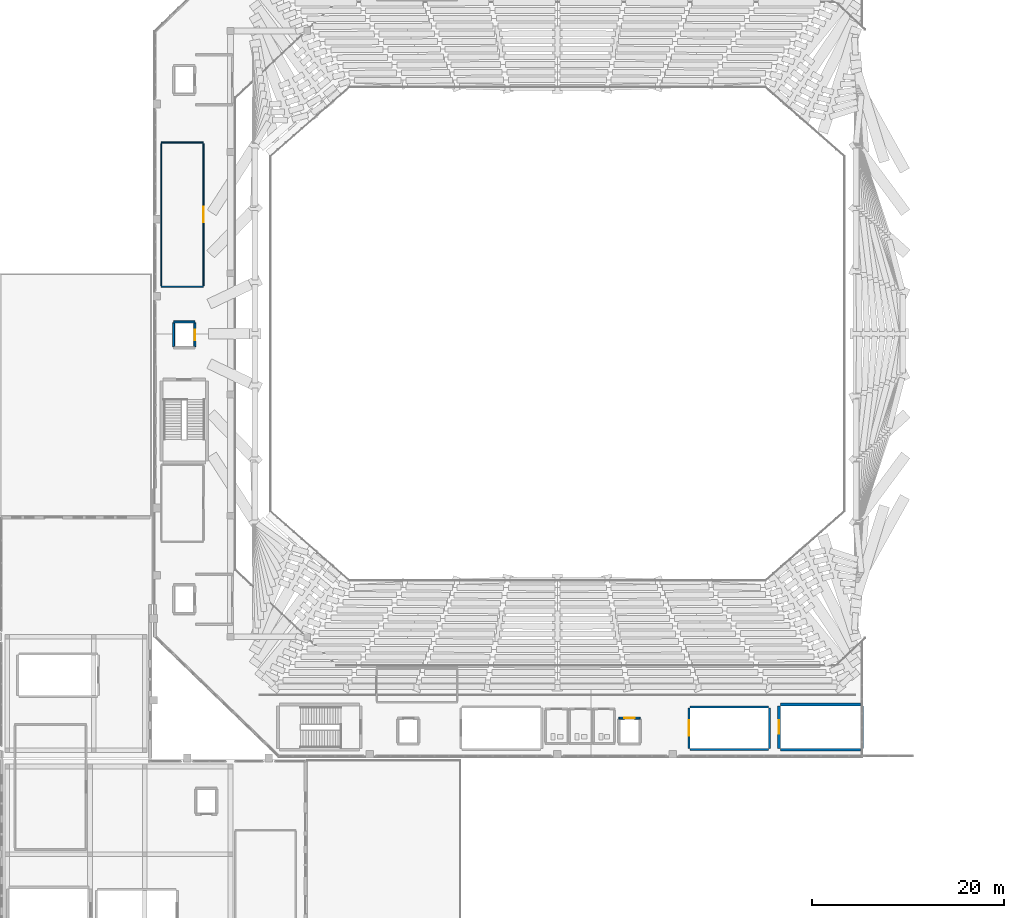
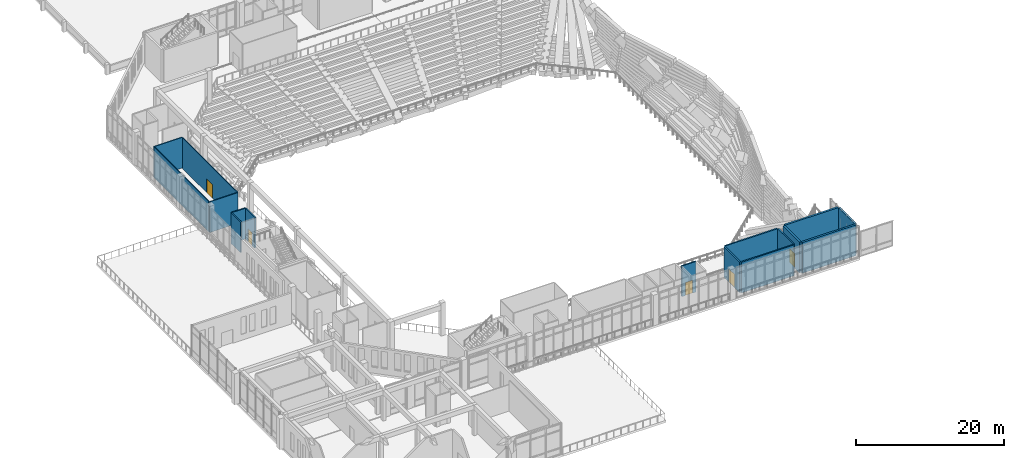
# One storey, part 46 of 55: 16 walls, 5 doors, 5 openings.
"""IFC4 building model written with IfcOpenShell, lengths in metres."""

from ifc_helpers import new_model, si_unit, derived_unit, direction, frame, frame_2d, origin, place, context, subcontext, project, spatial, rectangle, extrude, material, layer, layer_set, type_object, element, fill, save


model = new_model("IFC4")

# Units and contexts
model_context = context("Model", 3, precision=1e-05, world=origin(), true_north=direction((0.0, 1.0)))
body_context = subcontext(model_context, "Body", "Model", "MODEL_VIEW")
ifc_project = project(units=[si_unit("LENGTHUNIT", "METRE"), si_unit("AREAUNIT", "SQUARE_METRE"), si_unit("VOLUMEUNIT", "CUBIC_METRE"), si_unit("PLANEANGLEUNIT", "RADIAN"), si_unit("MASSUNIT", "GRAM", prefix="KILO"), derived_unit("THERMALTRANSMITTANCEUNIT", [(si_unit("MASSUNIT", "GRAM", prefix="KILO"), 1), (si_unit("TIMEUNIT", "SECOND"), -3), (si_unit("THERMODYNAMICTEMPERATUREUNIT", "KELVIN"), -1)])], contexts=[model_context])

# Site, building, storey
site_placement = place(None, origin())
site = spatial("IfcSite", under=ifc_project, at=site_placement, CompositionType="ELEMENT")
building_placement = place(site_placement, origin())
building = spatial("IfcBuilding", under=site, at=building_placement, Name="Valcora Ridge Arena", CompositionType="ELEMENT")
storey_placement = place(building_placement, frame((0.0, 0.0, 21.0)))
storey = spatial("IfcBuildingStorey", under=building, at=storey_placement, Name="L04", CompositionType="ELEMENT", Elevation=21.0)

# Walls
ifc_material_1 = material(Name="Acoustic metal-stud gypsum partition 120 mm")
ifc_layer_1 = layer(ifc_material_1, 0.1201171875, Name="Acoustic metal-stud gypsum partition 120 mm")
ifc_layer_set_1 = layer_set([ifc_layer_1], Name="Acoustic metal-stud gypsum partition 120 mm")
wall_type_1 = type_object("IfcWallType", Name="TY-WALL-IW-PART-120", PredefinedType="PARTITIONING", material=ifc_layer_set_1)
for number, where, z_axis, x_axis, name in (
    (1, (16.800048828125, 69.0, 0.0), (0.0, 0.0, 1.0), (1.0, 0.0, 0.0), "IW-PART-120 WAL-IN-0463"),
    (2, (16.800048828125, 84.0, 0.0), (0.0, 0.0, 1.0), (1.0, 0.0, 0.0), "IW-PART-120 WAL-IN-0464"),
):
    element("IfcWall", number, at=place(storey_placement, frame(where, z_axis=z_axis, x_axis=x_axis)), inside=storey, type_object=wall_type_1, Name=name, PredefinedType="PARTITIONING", context=body_context, shape_type="SweptSolid", body=[
        extrude(rectangle(XDim=4.39990234375, YDim=0.1201171875, at=frame_2d((2.199951171875, 0.0))), origin(), (0.0, 0.0, 1.0), 5.06005859375),
    ])
wall_1_placement = place(storey_placement, frame((16.800048828125, 69.1201171875, 0.0), z_axis=(0.0, 0.0, 1.0), x_axis=(0.0, 1.0, 0.0)))
element("IfcWall", 3, at=wall_1_placement, inside=storey, type_object=wall_type_1, Name="IW-PART-120 WAL-IN-0465", PredefinedType="PARTITIONING", context=body_context, shape_type="SweptSolid", body=[
    extrude(rectangle(XDim=14.759765625, YDim=0.1201171875, at=frame_2d((7.3798828125, 0.0))), origin(), (0.0, 0.0, 1.0), 5.06005859375),
])

# Wall, opening, door
wall_2_placement = place(storey_placement, frame((21.199951171875, 69.1201171875, 0.0), z_axis=(0.0, 0.0, 1.0), x_axis=(0.0, 1.0, 0.0)))
wall_2 = element("IfcWall", 4, at=wall_2_placement, inside=storey, type_object=wall_type_1, Name="IW-PART-120 WAL-IN-0466", PredefinedType="PARTITIONING", context=body_context, shape_type="SweptSolid", body=[
    extrude(rectangle(XDim=14.759765625, YDim=0.1201171875, at=frame_2d((7.3798828125, 0.0))), origin(), (0.0, 0.0, 1.0), 5.06005859375),
])
opening_1_placement = place(wall_2_placement, frame((6.580078125, 0.0, 0.0)))
opening_1 = element("IfcOpeningElement", 5, at=opening_1_placement, cuts=wall_2, Name="Opening D-PUB-1600", PredefinedType="OPENING", context=body_context, shape_type="SweptSolid", body=[
    extrude(rectangle(XDim=1.60009765625, YDim=2.25, at=frame_2d((0.800048828125, 1.125))), frame((0.0, 0.070068359375, 0.0), z_axis=(0.0, -1.0, 0.0), x_axis=(1.0, 0.0, 0.0)), (0.0, 0.0, 1.0), 0.14013671875),
])
ifc_material_2 = material(Name="Solid-core acoustic timber veneer door leaf", Category="wood")
door_type_1 = type_object("IfcDoorType", Name="TY-DOOR-D-PUB-1600", OperationType="NOTDEFINED", PredefinedType="DOOR", material=ifc_material_2)
door_1_placement = place(opening_1_placement, origin())
door_1 = element("IfcDoor", 6, at=door_1_placement, inside=storey, type_object=door_type_1, Name="D-PUB-1600 DOR-IN-0121", OperationType="DOUBLE_DOOR_SINGLE_SWING", OverallHeight=2.25, OverallWidth=1.60009765625, PredefinedType="DOOR", context=body_context, shape_type="SweptSolid", body=[
    extrude(rectangle(XDim=1.60009765625, YDim=2.25, at=frame_2d((0.800048828125, 1.125))), frame((0.0, 0.02490234375, 0.0), z_axis=(0.0, -1.0, 0.0), x_axis=(1.0, 0.0, 0.0)), (0.0, 0.0, 1.0), 0.050048828125),
])
fill(opening_1, door_1)

ifc_material_3 = material(Name="Concrete C40/50", Category="concrete")
ifc_layer_2 = layer(ifc_material_3, 0.199951171875, Name="Concrete C40/50")
ifc_layer_set_2 = layer_set([ifc_layer_2], Name="Concrete C40/50")
wall_type_2 = type_object("IfcWallType", Name="TY-WALL-IW-SHF-200", PredefinedType="STANDARD", material=ifc_layer_set_2)
wall_3_placement = place(storey_placement, frame((64.39990234375, 24.14990234375, 0.0), z_axis=(0.0, 0.0, 1.0), x_axis=(1.0, 0.0, 0.0)))
wall_3 = element("IfcWall", 7, at=wall_3_placement, inside=storey, type_object=wall_type_2, Name="IW-SHF-200 WAL-SH-0102", PredefinedType="STANDARD", context=body_context, shape_type="SweptSolid", body=[
    extrude(rectangle(XDim=2.2001953125, YDim=0.199951171875, at=frame_2d((1.10009765625, 0.0))), origin(), (0.0, 0.0, 1.0), 5.06005859375),
])
opening_2_placement = place(wall_3_placement, frame((0.550048828125, 0.0, 0.0)))
opening_2 = element("IfcOpeningElement", 8, at=opening_2_placement, cuts=wall_3, Name="Opening LD-PAX", PredefinedType="OPENING", context=body_context, shape_type="SweptSolid", body=[
    extrude(rectangle(XDim=1.10009765625, YDim=2.14990234375, at=frame_2d((0.550048828125, 1.074951171875))), frame((0.0, 0.10986328125, 0.0), z_axis=(0.0, -1.0, 0.0), x_axis=(1.0, 0.0, 0.0)), (0.0, 0.0, 1.0), 0.219970703125),
])
ifc_material_4 = material(Name="Insulated fire-rated hollow metal steel", Category="steel")
door_type_2 = type_object("IfcDoorType", Name="TY-DOOR-LD-PAX", OperationType="NOTDEFINED", PredefinedType="DOOR", material=ifc_material_4)
door_2_placement = place(opening_2_placement, origin())
door_2 = element("IfcDoor", 9, at=door_2_placement, inside=storey, type_object=door_type_2, Name="PL2 Landing Door L04", OperationType="SLIDING_TO_LEFT", OverallHeight=2.14990234375, OverallWidth=1.10009765625, PredefinedType="DOOR", context=body_context, shape_type="SweptSolid", body=[
    extrude(rectangle(XDim=1.10009765625, YDim=2.14990234375, at=frame_2d((0.550048828125, 1.074951171875))), frame((0.0, 0.02490234375, 0.0), z_axis=(0.0, -1.0, 0.0), x_axis=(1.0, 0.0, 0.0)), (0.0, 0.0, 1.0), 0.050048828125),
])
fill(opening_2, door_2)

# Walls
wall_4_placement = place(storey_placement, frame((18.10009765625, 65.35009765625, 0.0), z_axis=(0.0, 0.0, 1.0), x_axis=(1.0, 0.0, 0.0)))
element("IfcWall", 10, at=wall_4_placement, inside=storey, type_object=wall_type_2, Name="IW-SHF-200 WAL-SH-0226", PredefinedType="STANDARD", context=body_context, shape_type="SweptSolid", body=[
    extrude(rectangle(XDim=2.199951171875, YDim=0.199951171875, at=frame_2d((1.10009765625, 0.0))), origin(), (0.0, 0.0, 1.0), 5.06005859375),
])
wall_5_placement = place(storey_placement, frame((18.10009765625, 62.77001953125, 0.0), z_axis=(0.0, 0.0, 1.0), x_axis=(0.0, 1.0, 0.0)))
element("IfcWall", 11, at=wall_5_placement, inside=storey, type_object=wall_type_2, Name="IW-SHF-200 WAL-SH-0227", PredefinedType="STANDARD", context=body_context, shape_type="SweptSolid", body=[
    extrude(rectangle(XDim=2.4599609375, YDim=0.199951171875, at=frame_2d((1.22998046875, 0.0))), origin(), (0.0, 0.0, 1.0), 5.06005859375),
])

# Wall, opening, door
wall_6_placement = place(storey_placement, frame((20.300048828125, 62.77001953125, 0.0), z_axis=(0.0, 0.0, 1.0), x_axis=(0.0, 1.0, 0.0)))
wall_6 = element("IfcWall", 12, at=wall_6_placement, inside=storey, type_object=wall_type_2, Name="IW-SHF-200 WAL-SH-0228", PredefinedType="STANDARD", context=body_context, shape_type="SweptSolid", body=[
    extrude(rectangle(XDim=2.4599609375, YDim=0.199951171875, at=frame_2d((1.22998046875, 0.0))), origin(), (0.0, 0.0, 1.0), 5.06005859375),
])
opening_3_placement = place(wall_6_placement, frame((0.679931640625, 0.0, 0.0)))
opening_3 = element("IfcOpeningElement", 13, at=opening_3_placement, cuts=wall_6, Name="Opening LD-PAX", PredefinedType="OPENING", context=body_context, shape_type="SweptSolid", body=[
    extrude(rectangle(XDim=1.10009765625, YDim=2.14990234375, at=frame_2d((0.550048828125, 1.074951171875))), frame((0.0, 0.10986328125, 0.0), z_axis=(0.0, -1.0, 0.0), x_axis=(1.0, 0.0, 0.0)), (0.0, 0.0, 1.0), 0.219970703125),
])
door_3_placement = place(opening_3_placement, origin())
door_3 = element("IfcDoor", 14, at=door_3_placement, inside=storey, type_object=door_type_2, Name="CL3 Landing Door L04", OperationType="SLIDING_TO_LEFT", OverallHeight=2.14990234375, OverallWidth=1.10009765625, PredefinedType="DOOR", context=body_context, shape_type="SweptSolid", body=[
    extrude(rectangle(XDim=1.10009765625, YDim=2.14990234375, at=frame_2d((0.550048828125, 1.074951171875))), frame((0.0, 0.02490234375, 0.0), z_axis=(0.0, -1.0, 0.0), x_axis=(1.0, 0.0, 0.0)), (0.0, 0.0, 1.0), 0.050048828125),
])
fill(opening_3, door_3)

# Walls
ifc_material_5 = material(Name="Concrete C45/55", Category="concrete")
ifc_layer_3 = layer(ifc_material_5, 0.300048828125, Name="Concrete C45/55")
ifc_layer_set_3 = layer_set([ifc_layer_3], Name="Concrete C45/55")
wall_type_3 = type_object("IfcWallType", Name="TY-WALL-SW-C300-L", PredefinedType="SHEAR", material=ifc_layer_set_3)
for number, where, z_axis, x_axis, name in (
    (15, (81.199951171875, 20.85009765625, 0.0), (0.0, 0.0, 1.0), (1.0, 0.0, 0.0), "SW-C300-L WAL-CR-0049"),
    (16, (81.199951171875, 25.550048828125, 0.0), (0.0, 0.0, 1.0), (1.0, 0.0, 0.0), "SW-C300-L WAL-CR-0050"),
):
    element("IfcWall", number, at=place(storey_placement, frame(where, z_axis=z_axis, x_axis=x_axis)), inside=storey, type_object=wall_type_3, Name=name, PredefinedType="SHEAR", context=body_context, shape_type="SweptSolid", body=[
        extrude(rectangle(XDim=8.320068359375, YDim=0.300048828125, at=frame_2d((4.16015625, 0.0))), origin(), (0.0, 0.0, 1.0), 5.06005859375),
    ])

# Wall, opening, door
ifc_layer_4 = layer(ifc_material_5, 0.300048828125, Name="Concrete C45/55")
ifc_layer_set_4 = layer_set([ifc_layer_4], Name="Concrete C45/55")
wall_type_4 = type_object("IfcWallType", Name="TY-WALL-SW-C300-S", PredefinedType="SHEAR", material=ifc_layer_set_4)
wall_7_placement = place(storey_placement, frame((81.050048828125, 21.0, 0.0), z_axis=(0.0, 0.0, 1.0), x_axis=(0.0, 1.0, 0.0)))
wall_7 = element("IfcWall", 17, at=wall_7_placement, inside=storey, type_object=wall_type_4, Name="SW-C300-S WAL-CR-0051", PredefinedType="SHEAR", context=body_context, shape_type="SweptSolid", body=[
    extrude(rectangle(XDim=4.39990234375, YDim=0.300048828125, at=frame_2d((2.199951171875, 0.0))), origin(), (0.0, 0.0, 1.0), 5.06005859375),
])
opening_4_placement = place(wall_7_placement, frame((1.5, 0.0, 0.0)))
opening_4 = element("IfcOpeningElement", 18, at=opening_4_placement, cuts=wall_7, Name="Opening FD-01", PredefinedType="OPENING", context=body_context, shape_type="SweptSolid", body=[
    extrude(rectangle(XDim=1.39990234375, YDim=2.199951171875, at=frame_2d((0.699951171875, 1.10009765625))), frame((0.0, 0.159912109375, 0.0), z_axis=(0.0, -1.0, 0.0), x_axis=(1.0, 0.0, 0.0)), (0.0, 0.0, 1.0), 0.320068359375),
])
ifc_material_6 = material(Name="Insulated fire-rated steel door leaf", Category="steel")
door_type_3 = type_object("IfcDoorType", Name="TY-DOOR-FD-01", OperationType="NOTDEFINED", PredefinedType="DOOR", material=ifc_material_6)
door_4_placement = place(opening_4_placement, origin())
door_4 = element("IfcDoor", 19, at=door_4_placement, inside=storey, type_object=door_type_3, Name="FD-01 DOR-ST-0013", OperationType="DOUBLE_DOOR_SINGLE_SWING", OverallHeight=2.199951171875, OverallWidth=1.39990234375, PredefinedType="DOOR", context=body_context, shape_type="SweptSolid", body=[
    extrude(rectangle(XDim=1.39990234375, YDim=2.199951171875, at=frame_2d((0.699951171875, 1.10009765625))), frame((0.0, 0.02490234375, 0.0), z_axis=(0.0, -1.0, 0.0), x_axis=(1.0, 0.0, 0.0)), (0.0, 0.0, 1.0), 0.050048828125),
])
fill(opening_4, door_4)

# Walls
wall_8_placement = place(storey_placement, frame((89.669921875, 21.0, 0.0), z_axis=(0.0, 0.0, 1.0), x_axis=(0.0, 1.0, 0.0)))
element("IfcWall", 20, at=wall_8_placement, inside=storey, type_object=wall_type_4, Name="SW-C300-S WAL-CR-0052", PredefinedType="SHEAR", context=body_context, shape_type="SweptSolid", body=[
    extrude(rectangle(XDim=4.39990234375, YDim=0.300048828125, at=frame_2d((2.199951171875, 0.0))), origin(), (0.0, 0.0, 1.0), 5.06005859375),
])
ifc_material_7 = material(Name="Fire-resisting reinforced concrete enclosure C40/50 200 mm", Category="concrete")
ifc_layer_5 = layer(ifc_material_7, 0.219970703125, Name="Fire-resisting reinforced concrete enclosure C40/50 200 mm")
ifc_layer_set_5 = layer_set([ifc_layer_5], Name="Fire-resisting reinforced concrete enclosure C40/50 200 mm")
wall_type_5 = type_object("IfcWallType", Name="TY-WALL-SW-ES-220", PredefinedType="SHEAR", material=ifc_layer_set_5)
for number, where, z_axis, x_axis, name in (
    (21, (71.800048828125, 20.889892578125, 0.0), (0.0, 0.0, 1.0), (1.0, 0.0, 0.0), "SW-ES-220 WAL-ES-0045"),
    (22, (71.800048828125, 25.31005859375, 0.0), (0.0, 0.0, 1.0), (1.0, 0.0, 0.0), "SW-ES-220 WAL-ES-0046"),
):
    element("IfcWall", number, at=place(storey_placement, frame(where, z_axis=z_axis, x_axis=x_axis)), inside=storey, type_object=wall_type_5, Name=name, PredefinedType="SHEAR", context=body_context, shape_type="SweptSolid", body=[
        extrude(rectangle(XDim=8.159912109375, YDim=0.219970703125, at=frame_2d((4.080078125, 0.0))), origin(), (0.0, 0.0, 1.0), 5.06005859375),
    ])

# Wall, opening, door
wall_9_placement = place(storey_placement, frame((71.68994140625, 21.0, 0.0), z_axis=(0.0, 0.0, 1.0), x_axis=(0.0, 1.0, 0.0)))
wall_9 = element("IfcWall", 23, at=wall_9_placement, inside=storey, type_object=wall_type_5, Name="SW-ES-220 WAL-ES-0047", PredefinedType="SHEAR", context=body_context, shape_type="SweptSolid", body=[
    extrude(rectangle(XDim=4.199951171875, YDim=0.219970703125, at=frame_2d((2.10009765625, 0.0))), origin(), (0.0, 0.0, 1.0), 5.06005859375),
])
opening_5_placement = place(wall_9_placement, frame((1.300048828125, 0.0, 0.0)))
opening_5 = element("IfcOpeningElement", 24, at=opening_5_placement, cuts=wall_9, Name="Opening FD-02", PredefinedType="OPENING", context=body_context, shape_type="SweptSolid", body=[
    extrude(rectangle(XDim=1.60009765625, YDim=2.199951171875, at=frame_2d((0.800048828125, 1.10009765625))), frame((0.0, 0.119873046875, 0.0), z_axis=(0.0, -1.0, 0.0), x_axis=(1.0, 0.0, 0.0)), (0.0, 0.0, 1.0), 0.239990234375),
])
door_type_4 = type_object("IfcDoorType", Name="TY-DOOR-FD-02", OperationType="NOTDEFINED", PredefinedType="DOOR", material=ifc_material_6)
door_5_placement = place(opening_5_placement, origin())
door_5 = element("IfcDoor", 25, at=door_5_placement, inside=storey, type_object=door_type_4, Name="FD-02 DOR-ES-0010", OperationType="DOUBLE_DOOR_SINGLE_SWING", OverallHeight=2.199951171875, OverallWidth=1.60009765625, PredefinedType="DOOR", context=body_context, shape_type="SweptSolid", body=[
    extrude(rectangle(XDim=1.60009765625, YDim=2.199951171875, at=frame_2d((0.800048828125, 1.10009765625))), frame((0.0, 0.02490234375, 0.0), z_axis=(0.0, -1.0, 0.0), x_axis=(1.0, 0.0, 0.0)), (0.0, 0.0, 1.0), 0.050048828125),
])
fill(opening_5, door_5)

# Wall
wall_10_placement = place(storey_placement, frame((80.070068359375, 21.0, 0.0), z_axis=(0.0, 0.0, 1.0), x_axis=(0.0, 1.0, 0.0)))
element("IfcWall", 26, at=wall_10_placement, inside=storey, type_object=wall_type_5, Name="SW-ES-220 WAL-ES-0048", PredefinedType="SHEAR", context=body_context, shape_type="SweptSolid", body=[
    extrude(rectangle(XDim=4.199951171875, YDim=0.219970703125, at=frame_2d((2.10009765625, 0.0))), origin(), (0.0, 0.0, 1.0), 5.06005859375),
])

save(model, "model.ifc")
